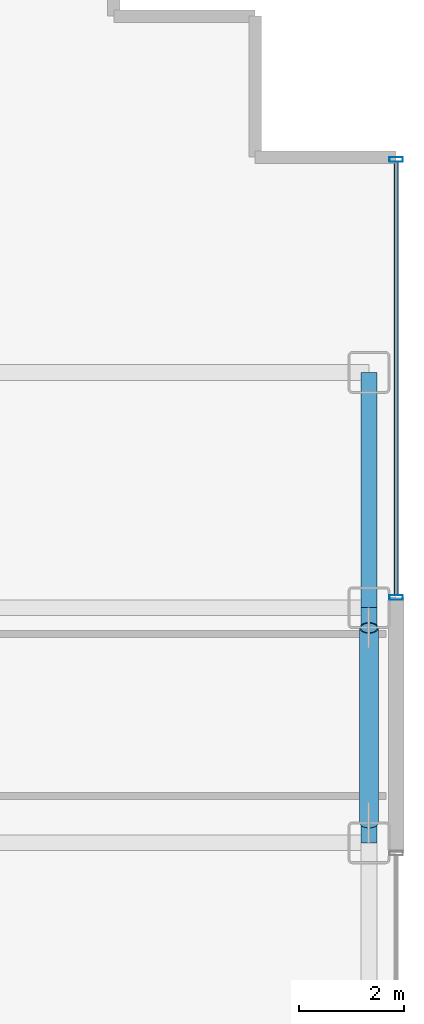
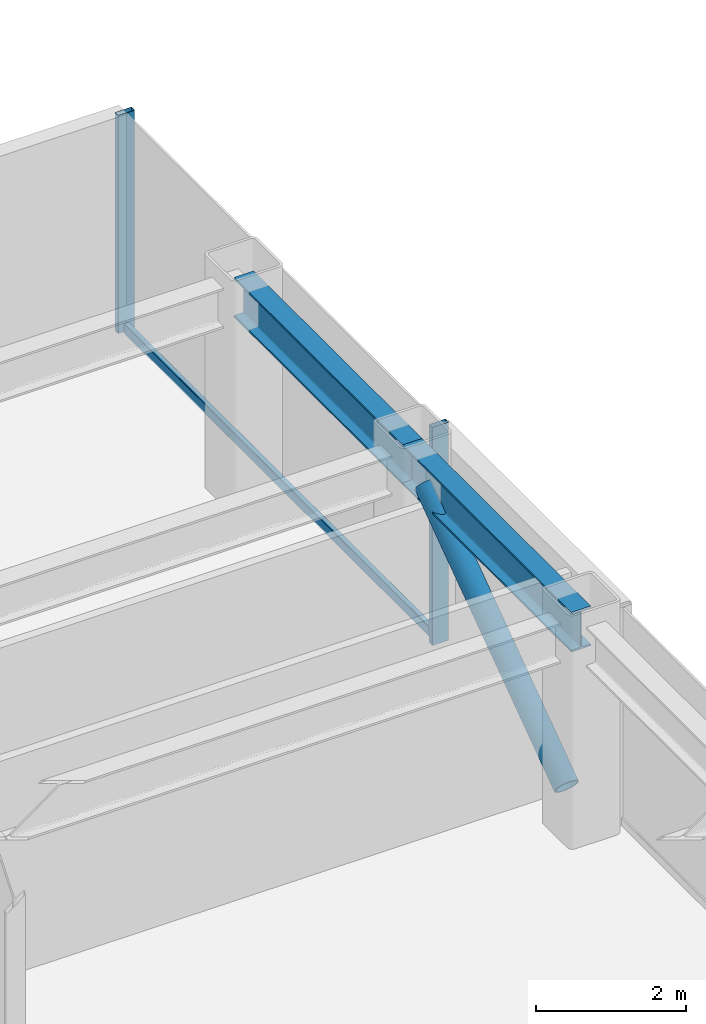
# One storey, part 19 of 29: 4 members, 2 beams, 1 element without a shape of its own.
"""IFC4 building model written with IfcOpenShell, lengths in metres."""

from ifc_helpers import new_model, si_unit, direction, frame, origin, origin_2d, place, context, subcontext, project, spatial, hollow_rectangle, hollow_circle, i_section, extrude, source, transform, mapped, material, layer, layer_set, material_profile, profile_set, type_object, element, aggregate, save


model = new_model("IFC4")

# Units and contexts
model_context = context("Model", 3, precision=1e-05, world=origin(), true_north=direction((0.0, 1.0)))
body_context = subcontext(model_context, "Body", "Model", "MODEL_VIEW")
ifc_project = project(units=[si_unit("LENGTHUNIT", "METRE"), si_unit("AREAUNIT", "SQUARE_METRE"), si_unit("VOLUMEUNIT", "CUBIC_METRE"), si_unit("PLANEANGLEUNIT", "RADIAN"), si_unit("MASSUNIT", "GRAM", prefix="KILO")], contexts=[model_context])

# Site, building, storey
site_placement = place(None, origin())
site = spatial("IfcSite", under=ifc_project, at=site_placement, CompositionType="ELEMENT")
building_placement = place(site_placement, origin())
building = spatial("IfcBuilding", under=site, at=building_placement, Name="Nefas-Gora Pilgrimage Tower", CompositionType="ELEMENT")
storey_placement = place(building_placement, frame((0.0, 0.0, 125.0)))
storey = spatial("IfcBuildingStorey", under=building, at=storey_placement, Name="L30", CompositionType="ELEMENT", Elevation=125.0)

# Beams
ifc_material_1 = material(Name="Steel S355", Category="steel")
ifc_material_profile_1 = material_profile(ifc_material_1, i_section(OverallWidth=0.300048828125, OverallDepth=0.64990234375, WebThickness=0.01611328125, FlangeThickness=0.031005859375, FilletRadius=0.027099609375, at=origin_2d()), Name="HEB 650")
ifc_profile_set_1 = profile_set([ifc_material_profile_1], Name="Steel S355")
beam_type = type_object("IfcBeamType", Name="BM-SPN-HEB500", PredefinedType="SPANDREL", material=ifc_profile_set_1)
shared_shape_1 = source(origin(), body_context, "Body", "SweptSolid", [
    extrude(i_section(OverallWidth=0.300048828125, OverallDepth=0.64990234375, WebThickness=0.01611328125, FlangeThickness=0.031005859375, FilletRadius=0.027099609375, at=origin_2d()), origin(), (0.0, 0.0, 1.0), 4.5),
])
for number, where, z_axis, x_axis, name in (
    (1, (33.75, 4.5, 3.22509765625), (0.0, 1.0, 0.0), (-1.0, 0.0, 0.0), "L30 SP-02 beam"),
    (2, (33.75, 9.0, 3.22509765625), (0.0, 1.0, 0.0), (-1.0, 0.0, 0.0), "L30 SP-02 beam"),
):
    element("IfcBeam", number, at=place(storey_placement, frame(where, z_axis=z_axis, x_axis=x_axis)), inside=storey, type_object=beam_type, Name=name, PredefinedType="SPANDREL", context=body_context, shape_type="MappedRepresentation", body=[
        mapped(shared_shape_1, transform((0.0, 0.0, 0.0), x_axis=(1.0, 0.0, 0.0), y_axis=(0.0, 1.0, 0.0), z_axis=(0.0, 0.0, 1.0), scale=1.0)),
    ])

# Member
ifc_material_2 = material(Name="Steel S460", Category="steel")
ifc_material_profile_2 = material_profile(ifc_material_2, hollow_circle(Radius=0.177734375, WallThickness=0.02001953125, at=origin_2d()), Name="CHS 355.6x20")
ifc_profile_set_2 = profile_set([ifc_material_profile_2], Name="Steel S460")
member_type_1 = type_object("IfcMemberType", Name="MEM-TUBE-356", PredefinedType="BRACE", material=ifc_profile_set_2)
shared_shape_2 = source(origin(), body_context, "Body", "SweptSolid", [
    extrude(hollow_circle(Radius=0.177734375, WallThickness=0.02001953125, at=origin_2d()), origin(), (0.0, 0.0, 1.0), 4.579345703125),
])
member_1_placement = place(storey_placement, frame((33.75, 4.887939453125, 0.427490234375), z_axis=(0.0, 0.813246879171, 0.581918820385), x_axis=(-1.0, 0.0, 0.0)))
element("IfcMember", 3, at=member_1_placement, inside=storey, type_object=member_type_1, Name="L30 Perimeter Tube Diagonal Brace E2", PredefinedType="BRACE", context=body_context, shape_type="MappedRepresentation", body=[
    mapped(shared_shape_2, transform((0.0, 0.0, 0.0), x_axis=(1.0, 0.0, 0.0), y_axis=(0.0, 1.0, 0.0), z_axis=(0.0, 0.0, 1.0), scale=1.0)),
])

# Curtain wall, members
ifc_material_3 = material(Name="Dark ceramic-fritted solar-control aluminium-glass curtain wall", Category="aluminium")
ifc_layer = layer(ifc_material_3, 0.219970703125)
ifc_layer_set = layer_set([ifc_layer], Name="Dark ceramic-fritted solar-control aluminium-glass curtain wall")
curtain_wall_type = type_object("IfcCurtainWallType", Name="CW-SYS-2", PredefinedType="NOTDEFINED", material=ifc_layer_set)
curtain_wall_placement = place(storey_placement, origin())
curtain_wall = element("IfcCurtainWall", 4, at=curtain_wall_placement, inside=storey, type_object=curtain_wall_type, Name="L30 Unitised Curtain Wall CW2", PredefinedType="NOTDEFINED")
ifc_material_4 = material(Name="Anodised architectural aluminium", Category="aluminium")
ifc_material_profile_3 = material_profile(ifc_material_4, hollow_rectangle(XDim=0.090087890625, YDim=0.260009765625, WallThickness=0.006103515625, InnerFilletRadius=0.006103515625, OuterFilletRadius=0.011962890625, at=origin_2d()), Name="ALU MULLION 90x260")
ifc_profile_set_3 = profile_set([ifc_material_profile_3], Name="Anodised architectural aluminium")
member_type_2 = type_object("IfcMemberType", Name="CWM-MUL-2", PredefinedType="MULLION", material=ifc_profile_set_3)
shared_shape_3 = source(origin(), body_context, "Body", "SweptSolid", [
    extrude(hollow_rectangle(XDim=0.090087890625, YDim=0.260009765625, WallThickness=0.006103515625, InnerFilletRadius=0.006103515625, OuterFilletRadius=0.011962890625, at=origin_2d()), origin(), (0.0, 0.0, 1.0), 3.550048828125),
])
member_2_placement = place(storey_placement, frame((34.27001953125, 9.195068359375, 0.0), z_axis=(0.0, 0.0, 1.0), x_axis=(0.0, 1.0, 0.0)))
member_2 = element("IfcMember", 5, at=member_2_placement, type_object=member_type_2, Name="CW2 Mullion 1", PredefinedType="MULLION", context=body_context, shape_type="MappedRepresentation", body=[
    mapped(shared_shape_3, transform((0.0, 0.0, 0.0), x_axis=(1.0, 0.0, 0.0), y_axis=(0.0, 1.0, 0.0), z_axis=(0.0, 0.0, 1.0), scale=1.0)),
])
member_3_placement = place(storey_placement, frame((34.27001953125, 17.574951171875, 0.0), z_axis=(0.0, 0.0, 1.0), x_axis=(0.0, 1.0, 0.0)))
member_3 = element("IfcMember", 6, at=member_3_placement, type_object=member_type_2, Name="CW2 Mullion 2", PredefinedType="MULLION", context=body_context, shape_type="MappedRepresentation", body=[
    mapped(shared_shape_3, transform((0.0, 0.0, 0.0), x_axis=(1.0, 0.0, 0.0), y_axis=(0.0, 1.0, 0.0), z_axis=(0.0, 0.0, 1.0), scale=1.0)),
])
ifc_material_profile_4 = material_profile(ifc_material_4, hollow_rectangle(XDim=0.080078125, YDim=0.159912109375, WallThickness=0.00439453125, InnerFilletRadius=0.00439453125, OuterFilletRadius=0.009033203125, at=origin_2d()), Name="ALU TRANSOM 80x160")
ifc_profile_set_4 = profile_set([ifc_material_profile_4], Name="Anodised architectural aluminium")
member_type_3 = type_object("IfcMemberType", Name="CWM-TRN-2", PredefinedType="USERDEFINED", material=ifc_profile_set_4)
shared_shape_4 = source(origin(), body_context, "Body", "SweptSolid", [
    extrude(hollow_rectangle(XDim=0.080078125, YDim=0.159912109375, WallThickness=0.00439453125, InnerFilletRadius=0.00439453125, OuterFilletRadius=0.009033203125, at=origin_2d()), origin(), (0.0, 0.0, 1.0), 8.2900390625),
])
member_4_placement = place(storey_placement, frame((34.27001953125, 9.239990234375, 0.050048828125), z_axis=(0.0, 1.0, 0.0), x_axis=(-1.0, 0.0, 0.0)))
member_4 = element("IfcMember", 7, at=member_4_placement, type_object=member_type_3, Name="CW2 Spandrel Transom", ObjectType="TRANSOM", PredefinedType="USERDEFINED", context=body_context, shape_type="MappedRepresentation", body=[
    mapped(shared_shape_4, transform((0.0, 0.0, 0.0), x_axis=(1.0, 0.0, 0.0), y_axis=(0.0, 1.0, 0.0), z_axis=(0.0, 0.0, 1.0), scale=1.0)),
])
aggregate(curtain_wall, [member_2, member_3, member_4])

save(model, "model.ifc")
